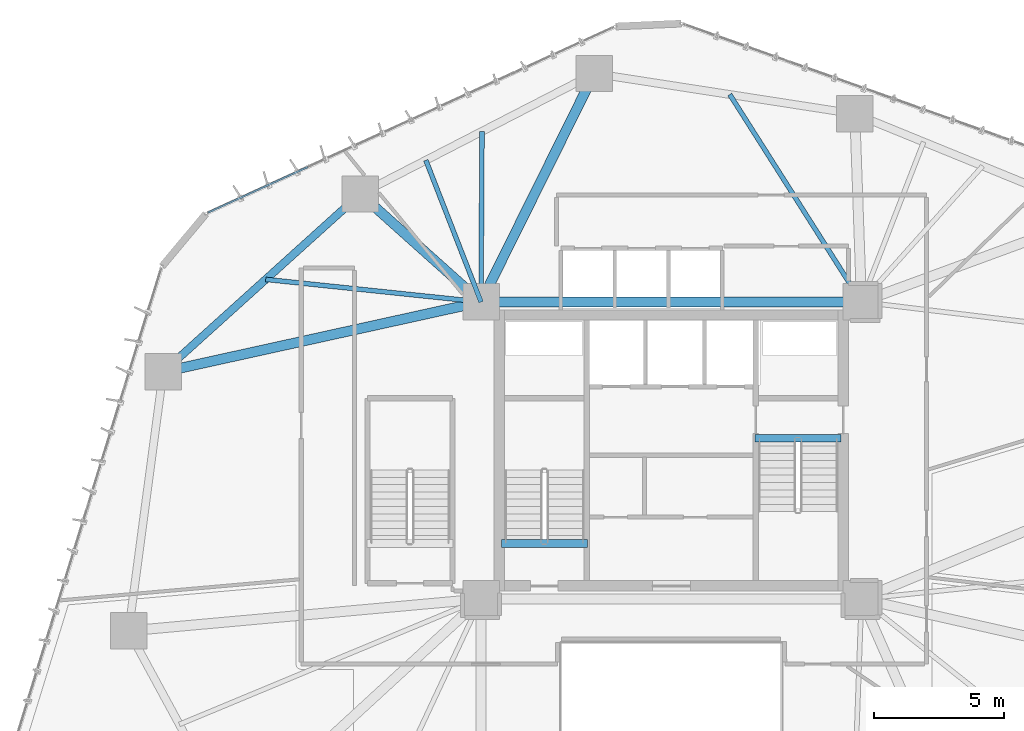
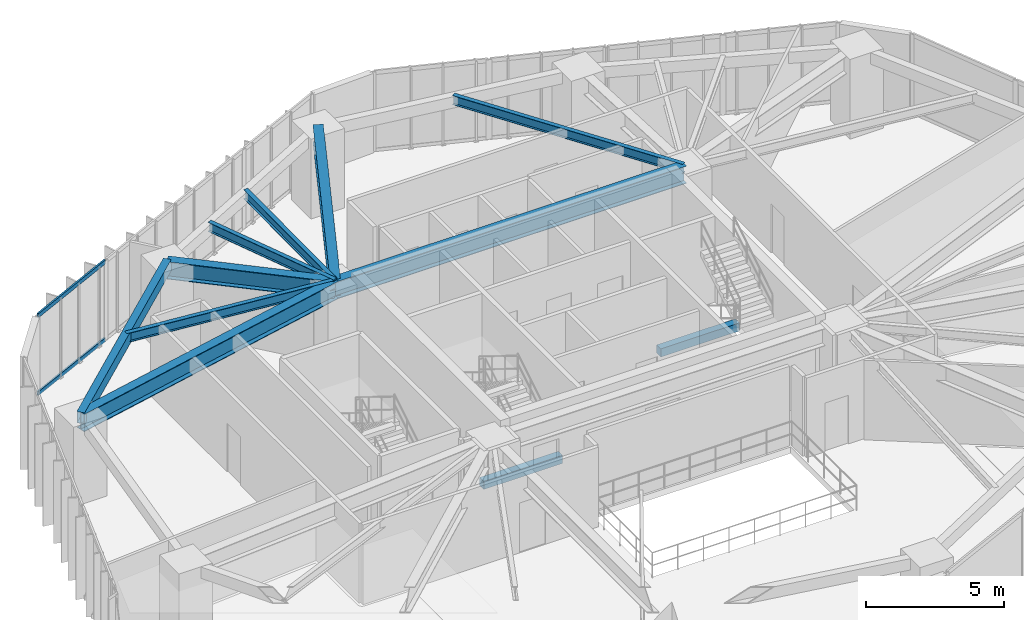
# One storey, part 8 of 24: 11 beams, 2 members, 1 element without a shape of its own.
"""IFC4 building model written with IfcOpenShell, lengths in metres."""

from ifc_helpers import new_model, si_unit, direction, frame, origin, origin_2d, place, context, subcontext, project, spatial, rectangle, hollow_rectangle, i_section, extrude, source, transform, mapped, material, layer, layer_set, material_profile, profile_set, type_object, type_shapes, element, aggregate, save


model = new_model("IFC4")

# Units and contexts
model_context = context("Model", 3, precision=1e-05, world=origin(), true_north=direction((0.0, 1.0)))
body_context = subcontext(model_context, "Body", "Model", "MODEL_VIEW")
ifc_project = project(units=[si_unit("LENGTHUNIT", "METRE"), si_unit("AREAUNIT", "SQUARE_METRE"), si_unit("VOLUMEUNIT", "CUBIC_METRE"), si_unit("PLANEANGLEUNIT", "RADIAN"), si_unit("MASSUNIT", "GRAM", prefix="KILO")], contexts=[model_context])

# Site, building, storey
site_placement = place(None, origin())
site = spatial("IfcSite", under=ifc_project, at=site_placement, CompositionType="ELEMENT")
building_placement = place(site_placement, origin())
building = spatial("IfcBuilding", under=site, at=building_placement, Name="Talar Marvaseh", CompositionType="ELEMENT")
storey_placement = place(building_placement, frame((0.0, 0.0, 31.60009765625)))
storey = spatial("IfcBuildingStorey", under=building, at=storey_placement, Name="L07", CompositionType="ELEMENT", Elevation=31.60009765625)

# Beams
ifc_material_1 = material(Name="Concrete C40/50", Category="concrete")
ifc_material_profile_1 = material_profile(ifc_material_1, rectangle(XDim=0.300048828125, YDim=0.360107421875, at=origin_2d()), Name="RC300x360")
ifc_profile_set_1 = profile_set([ifc_material_profile_1], Name="Concrete C40/50")
beam_type_1 = type_object("IfcBeamType", Name="Concrete Stair Landing Trimmer Beam RC300x360", PredefinedType="SPANDREL", material=ifc_profile_set_1)
for number, where, z_axis, x_axis, name in (
    (1, (22.780029296875, 27.6298828125, -0.18017578125), (-1.0, 0.0, 0.0), (0.0, -1.0, 0.0), "L07 ST-1 Stair Nosing Trimmer Beam"),
    (2, (29.219970703125, 31.669921875, -0.18017578125), (1.0, 0.0, 0.0), (0.0, 1.0, 0.0), "L07 ST-2 Stair Nosing Trimmer Beam"),
):
    element("IfcBeam", number, at=place(storey_placement, frame(where, z_axis=z_axis, x_axis=x_axis)), inside=storey, type_object=beam_type_1, Name=name, PredefinedType="SPANDREL", context=body_context, shape_type="SweptSolid", body=[
        extrude(rectangle(XDim=0.300048828125, YDim=0.360107421875, at=origin_2d()), origin(), (0.0, 0.0, 1.0), 3.300048828125),
    ])
ifc_material_2 = material(Name="Steel S355", Category="steel")
ifc_material_profile_2 = material_profile(ifc_material_2, hollow_rectangle(XDim=0.300048828125, YDim=0.5, WallThickness=0.02001953125, at=origin_2d()), Name="RHS500x300x20")
ifc_profile_set_2 = profile_set([ifc_material_profile_2], Name="Steel S355")
beam_type_2 = type_object("IfcBeamType", Name="Zone 1 Perimeter Spandrel Beam RHS500x300x20", PredefinedType="SPANDREL", material=ifc_profile_set_2)
beam_1_placement = place(storey_placement, frame((6.501953125, 34.214111328125, 3.27001953125), z_axis=(0.742394279812, 0.669963232799, 0.0), x_axis=(-0.669963232799, 0.742394279812, 0.0)))
element("IfcBeam", 3, at=beam_1_placement, inside=storey, type_object=beam_type_2, Name="L07 Zone 1 Perimeter Spandrel Beam RHS500x300x20", PredefinedType="SPANDREL", context=body_context, shape_type="SweptSolid", body=[
    extrude(hollow_rectangle(XDim=0.300048828125, YDim=0.5, WallThickness=0.02001953125, at=origin_2d()), origin(), (0.0, 0.0, 1.0), 10.19287109375),
])
ifc_material_profile_3 = material_profile(ifc_material_2, i_section(OverallWidth=0.381103515625, OverallDepth=0.77294921875, WebThickness=0.0166015625, FlangeThickness=0.027099609375, at=origin_2d()), Name="W760x257")
ifc_profile_set_3 = profile_set([ifc_material_profile_3], Name="Steel S355")
beam_type_3 = type_object("IfcBeamType", Name="Zone 1 Radial Floor Girder W760x257", PredefinedType="BEAM", material=ifc_profile_set_3)
beam_2_placement = place(storey_placement, frame((18.699951171875, 36.89990234375, 3.13330078125), z_axis=(1.0, 0.0, 0.0), x_axis=(0.0, 1.0, 0.0)))
element("IfcBeam", 4, at=beam_2_placement, inside=storey, type_object=beam_type_3, Name="L07 Zone 1 Radial Floor Girder W760x257", PredefinedType="BEAM", context=body_context, shape_type="SweptSolid", body=[
    extrude(i_section(OverallWidth=0.381103515625, OverallDepth=0.77294921875, WebThickness=0.0166015625, FlangeThickness=0.027099609375, at=origin_2d()), origin(), (0.0, 0.0, 1.0), 14.60009765625),
])
beam_3_placement = place(storey_placement, frame((6.501953125, 34.214111328125, 3.13330078125), z_axis=(0.976606962034, 0.215032187606, 0.0), x_axis=(-0.215032187606, 0.976606962034, 0.0)))
element("IfcBeam", 5, at=beam_3_placement, inside=storey, type_object=beam_type_3, Name="L07 Zone 1 Radial Floor Girder W760x257", PredefinedType="BEAM", context=body_context, shape_type="SweptSolid", body=[
    extrude(i_section(OverallWidth=0.381103515625, OverallDepth=0.77294921875, WebThickness=0.0166015625, FlangeThickness=0.027099609375, at=origin_2d()), origin(), (0.0, 0.0, 1.0), 12.490234375),
])
beam_4_placement = place(storey_placement, frame((14.069091796875, 41.04296875, 3.13330078125), z_axis=(0.745268030676, -0.666764997921, 0.0), x_axis=(0.666764997921, 0.745268030676, 0.0)))
element("IfcBeam", 6, at=beam_4_placement, inside=storey, type_object=beam_type_3, Name="L07 Zone 1 Radial Floor Girder W760x257", PredefinedType="BEAM", context=body_context, shape_type="SweptSolid", body=[
    extrude(i_section(OverallWidth=0.381103515625, OverallDepth=0.77294921875, WebThickness=0.0166015625, FlangeThickness=0.027099609375, at=origin_2d()), origin(), (0.0, 0.0, 1.0), 6.213623046875),
])
beam_5_placement = place(storey_placement, frame((23.047119140625, 45.6669921875, 3.13330078125), z_axis=(-0.444237233911, -0.895909191831, 0.0), x_axis=(0.895909191831, -0.444237233911, 0.0)))
element("IfcBeam", 7, at=beam_5_placement, inside=storey, type_object=beam_type_3, Name="L07 Zone 1 Radial Floor Girder W760x257", PredefinedType="BEAM", context=body_context, shape_type="SweptSolid", body=[
    extrude(i_section(OverallWidth=0.381103515625, OverallDepth=0.77294921875, WebThickness=0.0166015625, FlangeThickness=0.027099609375, at=origin_2d()), origin(), (0.0, 0.0, 1.0), 9.78564453125),
])
ifc_material_profile_4 = material_profile(ifc_material_2, i_section(OverallWidth=0.179931640625, OverallDepth=0.4130859375, WebThickness=0.009765625, FlangeThickness=0.01611328125, at=origin_2d()), Name="W410x75")
ifc_profile_set_4 = profile_set([ifc_material_profile_4], Name="Steel S355")
beam_type_4 = type_object("IfcBeamType", Name="Zone 1 Secondary Floor Joist W410x75", PredefinedType="JOIST", material=ifc_profile_set_4)
beam_6_placement = place(storey_placement, frame((10.436767578125, 37.76513671875, 3.3134765625), z_axis=(0.994562624593, -0.104140221638, 0.0), x_axis=(0.104140221638, 0.994562624593, 0.0)))
element("IfcBeam", 8, at=beam_6_placement, inside=storey, type_object=beam_type_4, Name="L07 Zone 1 Secondary Floor Joist W410x75", PredefinedType="JOIST", context=body_context, shape_type="SweptSolid", body=[
    extrude(i_section(OverallWidth=0.179931640625, OverallDepth=0.4130859375, WebThickness=0.009765625, FlangeThickness=0.01611328125, at=origin_2d()), origin(), (0.0, 0.0, 1.0), 8.308349609375),
])
beam_7_placement = place(storey_placement, frame((16.582763671875, 42.337646484375, 3.3134765625), z_axis=(0.362819746189, -0.931859341197, 0.0), x_axis=(0.931859341197, 0.362819746189, 0.0)))
element("IfcBeam", 9, at=beam_7_placement, inside=storey, type_object=beam_type_4, Name="L07 Zone 1 Secondary Floor Joist W410x75", PredefinedType="JOIST", context=body_context, shape_type="SweptSolid", body=[
    extrude(i_section(OverallWidth=0.179931640625, OverallDepth=0.4130859375, WebThickness=0.009765625, FlangeThickness=0.01611328125, at=origin_2d()), origin(), (0.0, 0.0, 1.0), 5.83544921875),
])
beam_8_placement = place(storey_placement, frame((18.737548828125, 43.447509765625, 3.3134765625), z_axis=(-0.00574210303, -0.999983513991, 0.0), x_axis=(0.999983513991, -0.00574210303, 0.0)))
element("IfcBeam", 10, at=beam_8_placement, inside=storey, type_object=beam_type_4, Name="L07 Zone 1 Secondary Floor Joist W410x75", PredefinedType="JOIST", context=body_context, shape_type="SweptSolid", body=[
    extrude(i_section(OverallWidth=0.179931640625, OverallDepth=0.4130859375, WebThickness=0.009765625, FlangeThickness=0.01611328125, at=origin_2d()), origin(), (0.0, 0.0, 1.0), 6.547607421875),
])
beam_9_placement = place(storey_placement, frame((28.24658203125, 44.861572265625, 3.3134765625), z_axis=(0.53589010079, -0.844287747083, 0.0), x_axis=(0.844287747083, 0.53589010079, 0.0)))
element("IfcBeam", 11, at=beam_9_placement, inside=storey, type_object=beam_type_4, Name="L07 Zone 1 Secondary Floor Joist W410x75", PredefinedType="JOIST", context=body_context, shape_type="SweptSolid", body=[
    extrude(i_section(OverallWidth=0.179931640625, OverallDepth=0.4130859375, WebThickness=0.009765625, FlangeThickness=0.01611328125, at=origin_2d()), origin(), (0.0, 0.0, 1.0), 9.429931640625),
])

# Curtain wall, members
ifc_material_3 = material(Name="Architectural Aluminium", Category="aluminium")
ifc_layer = layer(ifc_material_3, 0.219970703125)
ifc_layer_set = layer_set([ifc_layer], Name="Architectural Aluminium")
curtain_wall_type = type_object("IfcCurtainWallType", Name="Unitised Low-E Museum Curtain Wall Z1", PredefinedType="NOTDEFINED", material=ifc_layer_set)
curtain_wall_placement = place(storey_placement, origin())
curtain_wall = element("IfcCurtainWall", 12, at=curtain_wall_placement, inside=storey, type_object=curtain_wall_type, Name="L07 Unitised Low-E Museum Curtain Wall Z1", PredefinedType="NOTDEFINED")
ifc_material_profile_5 = material_profile(ifc_material_3, hollow_rectangle(XDim=0.074951171875, YDim=0.179931640625, WallThickness=0.0048828125, at=origin_2d()), Name="RHS180x75x5")
ifc_profile_set_5 = profile_set([ifc_material_profile_5], Name="Architectural Aluminium")
member_type = type_object("IfcMemberType", Name="Unitised Curtain Wall Transom RHS180x75x5", PredefinedType="USERDEFINED", material=ifc_profile_set_5)
shared_shape = source(origin(), body_context, "Body", "SweptSolid", [
    extrude(hollow_rectangle(XDim=0.074951171875, YDim=0.179931640625, WallThickness=0.0048828125, at=origin_2d()), origin(), (0.0, 0.0, 1.0), 4.19189453125),
])
type_shapes(member_type, [shared_shape])
member_1_placement = place(storey_placement, frame((8.23291015625, 40.3330078125, 0.037353515625), z_axis=(0.909468812777, 0.415772147439, 0.0), x_axis=(-0.415772147439, 0.909468812777, 0.0)))
member_1 = element("IfcMember", 13, at=member_1_placement, type_object=member_type, Name="CW-Z1 transom 1.1", ObjectType="TRANSOM", PredefinedType="USERDEFINED", context=body_context, shape_type="MappedRepresentation", body=[
    mapped(shared_shape, transform((0.0, 0.0, 0.0), x_axis=(1.0, 0.0, 0.0), y_axis=(0.0, 1.0, 0.0), z_axis=(0.0, 0.0, 1.0), scale=1.0)),
])
member_2_placement = place(storey_placement, frame((8.23291015625, 40.3330078125, 3.482421875), z_axis=(0.909468812777, 0.415772147439, 0.0), x_axis=(-0.415772147439, 0.909468812777, 0.0)))
member_2 = element("IfcMember", 14, at=member_2_placement, type_object=member_type, Name="CW-Z1 transom 1.2", ObjectType="TRANSOM", PredefinedType="USERDEFINED", context=body_context, shape_type="MappedRepresentation", body=[
    mapped(shared_shape, transform((0.0, 0.0, 0.0), x_axis=(1.0, 0.0, 0.0), y_axis=(0.0, 1.0, 0.0), z_axis=(0.0, 0.0, 1.0), scale=1.0)),
])
aggregate(curtain_wall, [member_1, member_2])

save(model, "model.ifc")
